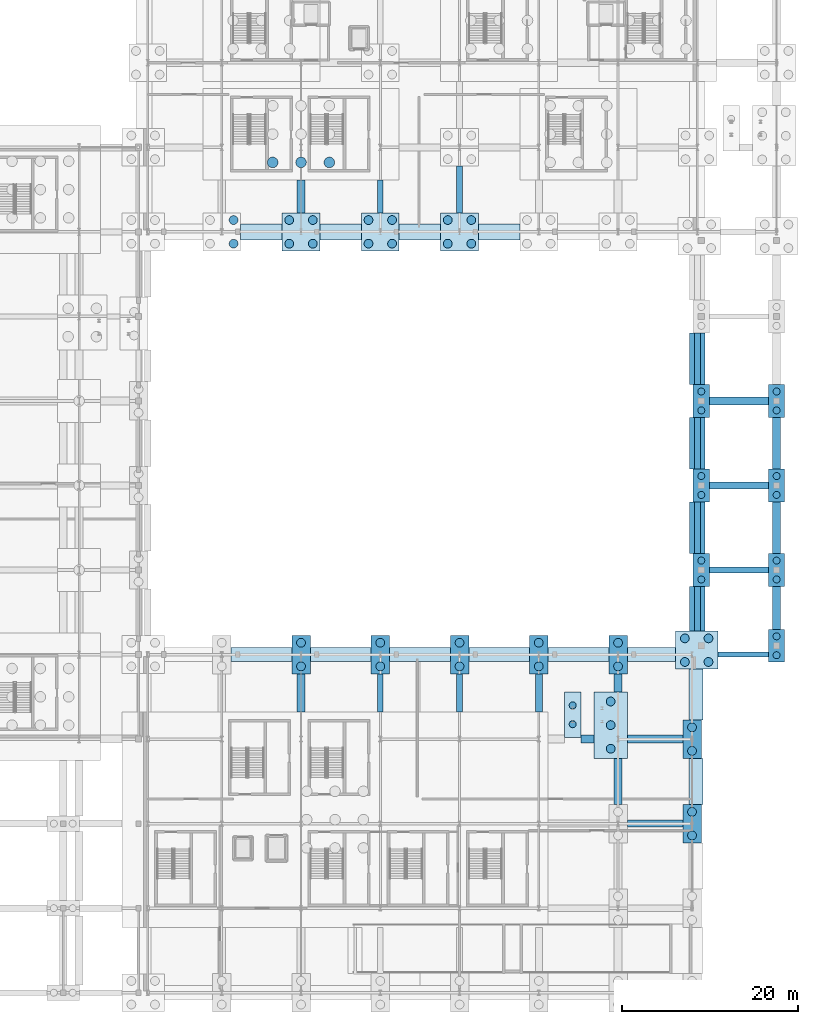
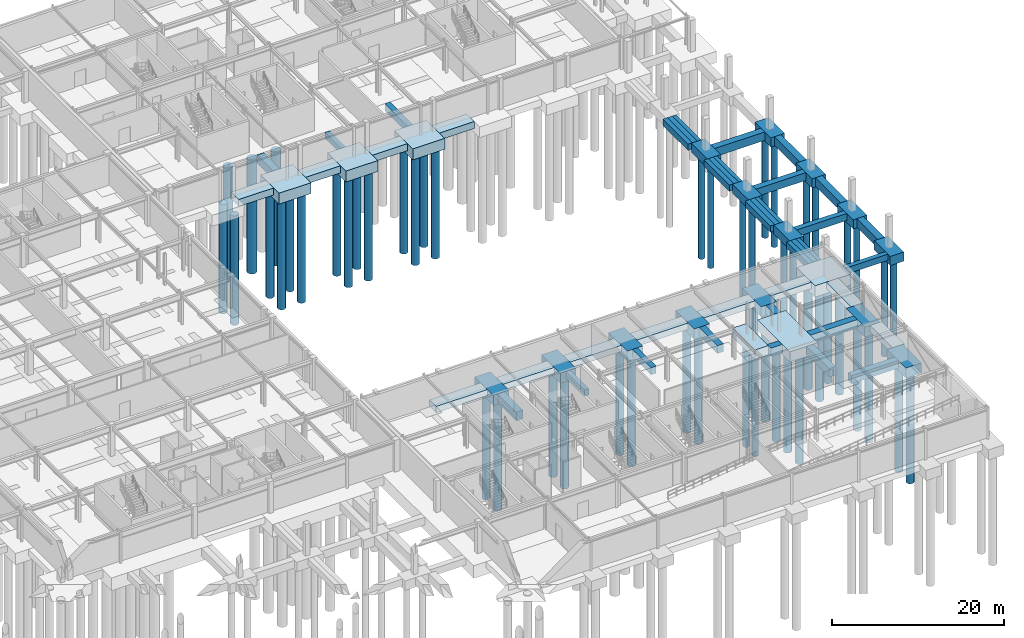
# One storey, part 8 of 59: 63 footings, 54 piles.
"""IFC4 building model written with IfcOpenShell, lengths in metres."""

from ifc_helpers import new_model, si_unit, direction, frame, origin, origin_2d, place, context, subcontext, project, spatial, rectangle, circle, extrude, material, material_profile, profile_set, type_object, element, save


model = new_model("IFC4")

# Units and contexts
model_context = context("Model", 3, precision=1e-05, world=origin(), true_north=direction((0.0, 1.0)))
body_context = subcontext(model_context, "Body", "Model", "MODEL_VIEW")
ifc_project = project(units=[si_unit("LENGTHUNIT", "METRE"), si_unit("AREAUNIT", "SQUARE_METRE"), si_unit("VOLUMEUNIT", "CUBIC_METRE"), si_unit("PLANEANGLEUNIT", "RADIAN"), si_unit("MASSUNIT", "GRAM", prefix="KILO")], contexts=[model_context])

# Site, building, storey
site_placement = place(None, origin())
site = spatial("IfcSite", under=ifc_project, at=site_placement, CompositionType="ELEMENT")
building_placement = place(site_placement, origin())
building = spatial("IfcBuilding", under=site, at=building_placement, Name="Myrtia Square Station", CompositionType="ELEMENT")
storey_placement = place(building_placement, frame((0.0, 0.0, -4.5)))
storey = spatial("IfcBuildingStorey", under=building, at=storey_placement, Name="B01", CompositionType="ELEMENT", Elevation=-4.5)

# Footings
ifc_material = material(Name="Concrete C35/45", Category="concrete")
ifc_material_profile_1 = material_profile(ifc_material, rectangle(XDim=0.60009765625, YDim=0.89990234375, at=origin_2d()), Name="FB 600x900")
ifc_profile_set_1 = profile_set([ifc_material_profile_1], Name="Concrete C35/45")
footing_type_1 = type_object("IfcFootingType", Name="FBM-600x900", PredefinedType="FOOTING_BEAM", material=ifc_profile_set_1)
footing_1_placement = place(storey_placement, frame((182.324951171875, 38.39990234375, -0.449951171875), z_axis=(1.0, 0.0, 0.0), x_axis=(0.0, 1.0, 0.0)))
element("IfcFooting", 1, at=footing_1_placement, inside=storey, type_object=footing_type_1, Name="Seismic foundation tie beam X-0051", PredefinedType="FOOTING_BEAM", context=body_context, shape_type="SweptSolid", body=[
    extrude(rectangle(XDim=0.60009765625, YDim=0.89990234375, at=origin_2d()), origin(), (0.0, 0.0, 1.0), 5.755126953125),
])
footing_2_placement = place(storey_placement, frame((144.0, 31.89990234375, -0.449951171875), z_axis=(0.0, 1.0, 0.0), x_axis=(-1.0, 0.0, 0.0)))
element("IfcFooting", 2, at=footing_2_placement, inside=storey, type_object=footing_type_1, Name="Seismic foundation tie beam Y-0316", PredefinedType="FOOTING_BEAM", context=body_context, shape_type="SweptSolid", body=[
    extrude(rectangle(XDim=0.60009765625, YDim=0.89990234375, at=origin_2d()), origin(), (0.0, 0.0, 1.0), 4.320068359375),
])
footing_3_placement = place(storey_placement, frame((144.0, 88.550048828125, -0.449951171875), z_axis=(0.0, 1.0, 0.0), x_axis=(-1.0, 0.0, 0.0)))
element("IfcFooting", 3, at=footing_3_placement, inside=storey, type_object=footing_type_1, Name="Seismic foundation tie beam Y-0317", PredefinedType="FOOTING_BEAM", context=body_context, shape_type="SweptSolid", body=[
    extrude(rectangle(XDim=0.60009765625, YDim=0.89990234375, at=origin_2d()), origin(), (0.0, 0.0, 1.0), 3.75),
])
footing_4_placement = place(storey_placement, frame((179.39990234375, 41.050048828125, -0.449951171875), z_axis=(0.0, 1.0, 0.0), x_axis=(-1.0, 0.0, 0.0)))
element("IfcFooting", 4, at=footing_4_placement, inside=storey, type_object=footing_type_1, Name="Seismic foundation tie beam Y-0335", PredefinedType="FOOTING_BEAM", context=body_context, shape_type="SweptSolid", body=[
    extrude(rectangle(XDim=0.60009765625, YDim=0.89990234375, at=origin_2d()), origin(), (0.0, 0.0, 1.0), 5.08984375),
])
footing_5_placement = place(storey_placement, frame((179.39990234375, 49.860107421875, -0.449951171875), z_axis=(0.0, 1.0, 0.0), x_axis=(-1.0, 0.0, 0.0)))
element("IfcFooting", 5, at=footing_5_placement, inside=storey, type_object=footing_type_1, Name="Seismic foundation tie beam Y-0336", PredefinedType="FOOTING_BEAM", context=body_context, shape_type="SweptSolid", body=[
    extrude(rectangle(XDim=0.60009765625, YDim=0.89990234375, at=origin_2d()), origin(), (0.0, 0.0, 1.0), 5.8798828125),
])
footing_6_placement = place(storey_placement, frame((179.39990234375, 59.4599609375, -0.449951171875), z_axis=(0.0, 1.0, 0.0), x_axis=(-1.0, 0.0, 0.0)))
element("IfcFooting", 6, at=footing_6_placement, inside=storey, type_object=footing_type_1, Name="Seismic foundation tie beam Y-0337", PredefinedType="FOOTING_BEAM", context=body_context, shape_type="SweptSolid", body=[
    extrude(rectangle(XDim=0.60009765625, YDim=0.89990234375, at=origin_2d()), origin(), (0.0, 0.0, 1.0), 5.880126953125),
])
footing_7_placement = place(storey_placement, frame((179.39990234375, 69.06005859375, -0.449951171875), z_axis=(0.0, 1.0, 0.0), x_axis=(-1.0, 0.0, 0.0)))
element("IfcFooting", 7, at=footing_7_placement, inside=storey, type_object=footing_type_1, Name="Seismic foundation tie beam Y-0338", PredefinedType="FOOTING_BEAM", context=body_context, shape_type="SweptSolid", body=[
    extrude(rectangle(XDim=0.60009765625, YDim=0.89990234375, at=origin_2d()), origin(), (0.0, 0.0, 1.0), 5.8798828125),
])
ifc_material_profile_2 = material_profile(ifc_material, rectangle(XDim=0.699951171875, YDim=1.0, at=origin_2d()), Name="FB 700x1000")
ifc_profile_set_2 = profile_set([ifc_material_profile_2], Name="Concrete C35/45")
footing_type_2 = type_object("IfcFootingType", Name="FBM-700x1000", PredefinedType="FOOTING_BEAM", material=ifc_profile_set_2)
footing_8_placement = place(storey_placement, frame((181.3701171875, 48.0, -0.5), z_axis=(1.0, 0.0, 0.0), x_axis=(0.0, 1.0, 0.0)))
element("IfcFooting", 8, at=footing_8_placement, inside=storey, type_object=footing_type_2, Name="Seismic foundation tie beam X-0062", PredefinedType="FOOTING_BEAM", context=body_context, shape_type="SweptSolid", body=[
    extrude(rectangle(XDim=0.699951171875, YDim=1.0, at=origin_2d()), origin(), (0.0, 0.0, 1.0), 6.7099609375),
])
footing_9_placement = place(storey_placement, frame((153.0, 31.89990234375, -0.5), z_axis=(0.0, 1.0, 0.0), x_axis=(-1.0, 0.0, 0.0)))
element("IfcFooting", 9, at=footing_9_placement, inside=storey, type_object=footing_type_2, Name="Seismic foundation tie beam Y-0321", PredefinedType="FOOTING_BEAM", context=body_context, shape_type="SweptSolid", body=[
    extrude(rectangle(XDim=0.699951171875, YDim=1.0, at=origin_2d()), origin(), (0.0, 0.0, 1.0), 4.320068359375),
])
footing_10_placement = place(storey_placement, frame((153.0, 88.550048828125, -0.5), z_axis=(0.0, 1.0, 0.0), x_axis=(-1.0, 0.0, 0.0)))
element("IfcFooting", 10, at=footing_10_placement, inside=storey, type_object=footing_type_2, Name="Seismic foundation tie beam Y-0322", PredefinedType="FOOTING_BEAM", context=body_context, shape_type="SweptSolid", body=[
    extrude(rectangle(XDim=0.699951171875, YDim=1.0, at=origin_2d()), origin(), (0.0, 0.0, 1.0), 5.300048828125),
])
footing_11_placement = place(storey_placement, frame((180.0, 41.050048828125, -0.5), z_axis=(0.0, 1.0, 0.0), x_axis=(-1.0, 0.0, 0.0)))
element("IfcFooting", 11, at=footing_11_placement, inside=storey, type_object=footing_type_2, Name="Seismic foundation tie beam Y-0340", PredefinedType="FOOTING_BEAM", context=body_context, shape_type="SweptSolid", body=[
    extrude(rectangle(XDim=0.699951171875, YDim=1.0, at=origin_2d()), origin(), (0.0, 0.0, 1.0), 5.08984375),
])
footing_12_placement = place(storey_placement, frame((180.0, 49.860107421875, -0.5), z_axis=(0.0, 1.0, 0.0), x_axis=(-1.0, 0.0, 0.0)))
element("IfcFooting", 12, at=footing_12_placement, inside=storey, type_object=footing_type_2, Name="Seismic foundation tie beam Y-0341", PredefinedType="FOOTING_BEAM", context=body_context, shape_type="SweptSolid", body=[
    extrude(rectangle(XDim=0.699951171875, YDim=1.0, at=origin_2d()), origin(), (0.0, 0.0, 1.0), 5.8798828125),
])
footing_13_placement = place(storey_placement, frame((180.0, 59.4599609375, -0.5), z_axis=(0.0, 1.0, 0.0), x_axis=(-1.0, 0.0, 0.0)))
element("IfcFooting", 13, at=footing_13_placement, inside=storey, type_object=footing_type_2, Name="Seismic foundation tie beam Y-0342", PredefinedType="FOOTING_BEAM", context=body_context, shape_type="SweptSolid", body=[
    extrude(rectangle(XDim=0.699951171875, YDim=1.0, at=origin_2d()), origin(), (0.0, 0.0, 1.0), 5.880126953125),
])
footing_14_placement = place(storey_placement, frame((180.0, 69.06005859375, -0.5), z_axis=(0.0, 1.0, 0.0), x_axis=(-1.0, 0.0, 0.0)))
element("IfcFooting", 14, at=footing_14_placement, inside=storey, type_object=footing_type_2, Name="Seismic foundation tie beam Y-0343", PredefinedType="FOOTING_BEAM", context=body_context, shape_type="SweptSolid", body=[
    extrude(rectangle(XDim=0.699951171875, YDim=1.0, at=origin_2d()), origin(), (0.0, 0.0, 1.0), 5.8798828125),
])
ifc_material_profile_3 = material_profile(ifc_material, rectangle(XDim=0.800048828125, YDim=1.10009765625, at=origin_2d()), Name="FB 800x1100")
ifc_profile_set_3 = profile_set([ifc_material_profile_3], Name="Concrete C35/45")
footing_type_3 = type_object("IfcFootingType", Name="FBM-800x1100", PredefinedType="FOOTING_BEAM", material=ifc_profile_set_3)
footing_15_placement = place(storey_placement, frame((172.050048828125, 19.199951171875, -0.550048828125), z_axis=(1.0, 0.0, 0.0), x_axis=(0.0, 1.0, 0.0)))
element("IfcFooting", 15, at=footing_15_placement, inside=storey, type_object=footing_type_3, Name="Seismic foundation tie beam X-0032", PredefinedType="FOOTING_BEAM", context=body_context, shape_type="SweptSolid", body=[
    extrude(rectangle(XDim=0.800048828125, YDim=1.10009765625, at=origin_2d()), origin(), (0.0, 0.0, 1.0), 6.300048828125),
])
footing_16_placement = place(storey_placement, frame((181.3701171875, 57.60009765625, -0.550048828125), z_axis=(1.0, 0.0, 0.0), x_axis=(0.0, 1.0, 0.0)))
element("IfcFooting", 16, at=footing_16_placement, inside=storey, type_object=footing_type_3, Name="Seismic foundation tie beam X-0073", PredefinedType="FOOTING_BEAM", context=body_context, shape_type="SweptSolid", body=[
    extrude(rectangle(XDim=0.800048828125, YDim=1.10009765625, at=origin_2d()), origin(), (0.0, 0.0, 1.0), 6.7099609375),
])
footing_17_placement = place(storey_placement, frame((162.0, 31.89990234375, -0.550048828125), z_axis=(0.0, 1.0, 0.0), x_axis=(-1.0, 0.0, 0.0)))
element("IfcFooting", 17, at=footing_17_placement, inside=storey, type_object=footing_type_3, Name="Seismic foundation tie beam Y-0326", PredefinedType="FOOTING_BEAM", context=body_context, shape_type="SweptSolid", body=[
    extrude(rectangle(XDim=0.800048828125, YDim=1.10009765625, at=origin_2d()), origin(), (0.0, 0.0, 1.0), 4.320068359375),
])
footing_18_placement = place(storey_placement, frame((180.449951171875, 41.050048828125, -0.550048828125), z_axis=(0.0, 1.0, 0.0), x_axis=(-1.0, 0.0, 0.0)))
element("IfcFooting", 18, at=footing_18_placement, inside=storey, type_object=footing_type_3, Name="Seismic foundation tie beam Y-0345", PredefinedType="FOOTING_BEAM", context=body_context, shape_type="SweptSolid", body=[
    extrude(rectangle(XDim=0.800048828125, YDim=1.10009765625, at=origin_2d()), origin(), (0.0, 0.0, 1.0), 5.08984375),
])
footing_19_placement = place(storey_placement, frame((180.449951171875, 49.860107421875, -0.550048828125), z_axis=(0.0, 1.0, 0.0), x_axis=(-1.0, 0.0, 0.0)))
element("IfcFooting", 19, at=footing_19_placement, inside=storey, type_object=footing_type_3, Name="Seismic foundation tie beam Y-0346", PredefinedType="FOOTING_BEAM", context=body_context, shape_type="SweptSolid", body=[
    extrude(rectangle(XDim=0.800048828125, YDim=1.10009765625, at=origin_2d()), origin(), (0.0, 0.0, 1.0), 5.8798828125),
])
footing_20_placement = place(storey_placement, frame((180.449951171875, 59.4599609375, -0.550048828125), z_axis=(0.0, 1.0, 0.0), x_axis=(-1.0, 0.0, 0.0)))
element("IfcFooting", 20, at=footing_20_placement, inside=storey, type_object=footing_type_3, Name="Seismic foundation tie beam Y-0347", PredefinedType="FOOTING_BEAM", context=body_context, shape_type="SweptSolid", body=[
    extrude(rectangle(XDim=0.800048828125, YDim=1.10009765625, at=origin_2d()), origin(), (0.0, 0.0, 1.0), 5.880126953125),
])
footing_21_placement = place(storey_placement, frame((180.449951171875, 69.06005859375, -0.550048828125), z_axis=(0.0, 1.0, 0.0), x_axis=(-1.0, 0.0, 0.0)))
element("IfcFooting", 21, at=footing_21_placement, inside=storey, type_object=footing_type_3, Name="Seismic foundation tie beam Y-0348", PredefinedType="FOOTING_BEAM", context=body_context, shape_type="SweptSolid", body=[
    extrude(rectangle(XDim=0.800048828125, YDim=1.10009765625, at=origin_2d()), origin(), (0.0, 0.0, 1.0), 5.8798828125),
])
ifc_material_profile_4 = material_profile(ifc_material, rectangle(XDim=0.89990234375, YDim=1.199951171875, at=origin_2d()), Name="FB 900x1200")
ifc_profile_set_4 = profile_set([ifc_material_profile_4], Name="Concrete C35/45")
footing_type_4 = type_object("IfcFootingType", Name="FBM-900x1200", PredefinedType="FOOTING_BEAM", material=ifc_profile_set_4)
footing_22_placement = place(storey_placement, frame((166.77001953125, 28.800048828125, -0.60009765625), z_axis=(1.0, 0.0, 0.0), x_axis=(0.0, 1.0, 0.0)))
element("IfcFooting", 22, at=footing_22_placement, inside=storey, type_object=footing_type_4, Name="Seismic foundation tie beam X-0041", PredefinedType="FOOTING_BEAM", context=body_context, shape_type="SweptSolid", body=[
    extrude(rectangle(XDim=0.89990234375, YDim=1.199951171875, at=origin_2d()), origin(), (0.0, 0.0, 1.0), 1.5),
])
footing_23_placement = place(storey_placement, frame((172.050048828125, 28.800048828125, -0.60009765625), z_axis=(1.0, 0.0, 0.0), x_axis=(0.0, 1.0, 0.0)))
element("IfcFooting", 23, at=footing_23_placement, inside=storey, type_object=footing_type_4, Name="Seismic foundation tie beam X-0042", PredefinedType="FOOTING_BEAM", context=body_context, shape_type="SweptSolid", body=[
    extrude(rectangle(XDim=0.89990234375, YDim=1.199951171875, at=origin_2d()), origin(), (0.0, 0.0, 1.0), 6.300048828125),
])
footing_24_placement = place(storey_placement, frame((181.3701171875, 67.199951171875, -0.60009765625), z_axis=(1.0, 0.0, 0.0), x_axis=(0.0, 1.0, 0.0)))
element("IfcFooting", 24, at=footing_24_placement, inside=storey, type_object=footing_type_4, Name="Seismic foundation tie beam X-0084", PredefinedType="FOOTING_BEAM", context=body_context, shape_type="SweptSolid", body=[
    extrude(rectangle(XDim=0.89990234375, YDim=1.199951171875, at=origin_2d()), origin(), (0.0, 0.0, 1.0), 6.7099609375),
])
footing_25_placement = place(storey_placement, frame((135.0, 31.89990234375, -0.60009765625), z_axis=(0.0, 1.0, 0.0), x_axis=(-1.0, 0.0, 0.0)))
element("IfcFooting", 25, at=footing_25_placement, inside=storey, type_object=footing_type_4, Name="Seismic foundation tie beam Y-0312", PredefinedType="FOOTING_BEAM", context=body_context, shape_type="SweptSolid", body=[
    extrude(rectangle(XDim=0.89990234375, YDim=1.199951171875, at=origin_2d()), origin(), (0.0, 0.0, 1.0), 4.320068359375),
])
footing_26_placement = place(storey_placement, frame((135.0, 88.550048828125, -0.60009765625), z_axis=(0.0, 1.0, 0.0), x_axis=(-1.0, 0.0, 0.0)))
element("IfcFooting", 26, at=footing_26_placement, inside=storey, type_object=footing_type_4, Name="Seismic foundation tie beam Y-0313", PredefinedType="FOOTING_BEAM", context=body_context, shape_type="SweptSolid", body=[
    extrude(rectangle(XDim=0.89990234375, YDim=1.199951171875, at=origin_2d()), origin(), (0.0, 0.0, 1.0), 3.75),
])
footing_27_placement = place(storey_placement, frame((171.0, 21.3798828125, -0.60009765625), z_axis=(0.0, 1.0, 0.0), x_axis=(-1.0, 0.0, 0.0)))
element("IfcFooting", 27, at=footing_27_placement, inside=storey, type_object=footing_type_4, Name="Seismic foundation tie beam Y-0331", PredefinedType="FOOTING_BEAM", context=body_context, shape_type="SweptSolid", body=[
    extrude(rectangle(XDim=0.89990234375, YDim=1.199951171875, at=origin_2d()), origin(), (0.0, 0.0, 1.0), 5.240234375),
])
footing_28_placement = place(storey_placement, frame((171.0, 34.159912109375, -0.60009765625), z_axis=(0.0, 1.0, 0.0), x_axis=(-1.0, 0.0, 0.0)))
element("IfcFooting", 28, at=footing_28_placement, inside=storey, type_object=footing_type_4, Name="Seismic foundation tie beam Y-0332", PredefinedType="FOOTING_BEAM", context=body_context, shape_type="SweptSolid", body=[
    extrude(rectangle(XDim=0.89990234375, YDim=1.199951171875, at=origin_2d()), origin(), (0.0, 0.0, 1.0), 2.06005859375),
])
footing_29_placement = place(storey_placement, frame((189.0, 41.260009765625, -0.60009765625), z_axis=(0.0, 1.0, 0.0), x_axis=(-1.0, 0.0, 0.0)))
element("IfcFooting", 29, at=footing_29_placement, inside=storey, type_object=footing_type_4, Name="Seismic foundation tie beam Y-0350", PredefinedType="FOOTING_BEAM", context=body_context, shape_type="SweptSolid", body=[
    extrude(rectangle(XDim=0.89990234375, YDim=1.199951171875, at=origin_2d()), origin(), (0.0, 0.0, 1.0), 4.8798828125),
])
footing_30_placement = place(storey_placement, frame((189.0, 49.860107421875, -0.60009765625), z_axis=(0.0, 1.0, 0.0), x_axis=(-1.0, 0.0, 0.0)))
element("IfcFooting", 30, at=footing_30_placement, inside=storey, type_object=footing_type_4, Name="Seismic foundation tie beam Y-0351", PredefinedType="FOOTING_BEAM", context=body_context, shape_type="SweptSolid", body=[
    extrude(rectangle(XDim=0.89990234375, YDim=1.199951171875, at=origin_2d()), origin(), (0.0, 0.0, 1.0), 5.8798828125),
])
footing_31_placement = place(storey_placement, frame((189.0, 59.4599609375, -0.60009765625), z_axis=(0.0, 1.0, 0.0), x_axis=(-1.0, 0.0, 0.0)))
element("IfcFooting", 31, at=footing_31_placement, inside=storey, type_object=footing_type_4, Name="Seismic foundation tie beam Y-0352", PredefinedType="FOOTING_BEAM", context=body_context, shape_type="SweptSolid", body=[
    extrude(rectangle(XDim=0.89990234375, YDim=1.199951171875, at=origin_2d()), origin(), (0.0, 0.0, 1.0), 5.880126953125),
])
footing_type_5 = type_object("IfcFootingType", Name="FCAP-184x372x130", PredefinedType="PILE_CAP", material=ifc_material)
for number, where, z_axis, x_axis, name in (
    (32, (180.449951171875, 48.0, -1.2998046875), (0.0, 0.0, 1.0), (1.0, 0.0, 0.0), "Reinforced concrete pile cap CAP-L2Y-129"),
    (33, (180.449951171875, 57.60009765625, -1.2998046875), (0.0, 0.0, 1.0), (1.0, 0.0, 0.0), "Reinforced concrete pile cap CAP-L2Y-130"),
    (34, (180.449951171875, 67.199951171875, -1.2998046875), (0.0, 0.0, 1.0), (1.0, 0.0, 0.0), "Reinforced concrete pile cap CAP-L2Y-131"),
    (35, (189.0, 39.39990234375, -1.2998046875), (0.0, 0.0, 1.0), (1.0, 0.0, 0.0), "Reinforced concrete pile cap CAP-L2Y-134"),
    (36, (189.0, 48.0, -1.2998046875), (0.0, 0.0, 1.0), (1.0, 0.0, 0.0), "Reinforced concrete pile cap CAP-L2Y-135"),
    (37, (189.0, 57.60009765625, -1.2998046875), (0.0, 0.0, 1.0), (1.0, 0.0, 0.0), "Reinforced concrete pile cap CAP-L2Y-136"),
    (38, (189.0, 67.199951171875, -1.2998046875), (0.0, 0.0, 1.0), (1.0, 0.0, 0.0), "Reinforced concrete pile cap CAP-L2Y-137"),
):
    element("IfcFooting", number, at=place(storey_placement, frame(where, z_axis=z_axis, x_axis=x_axis)), inside=storey, type_object=footing_type_5, Name=name, PredefinedType="PILE_CAP", context=body_context, shape_type="SweptSolid", body=[
        extrude(rectangle(XDim=1.840087890625, YDim=3.719970703125, at=origin_2d()), origin(), (0.0, 0.0, 1.0), 1.300048828125),
    ])
footing_type_6 = type_object("IfcFootingType", Name="FCAP-184x520x130", PredefinedType="PILE_CAP", material=ifc_material)
footing_32_placement = place(storey_placement, frame((165.85009765625, 31.56005859375, -1.2998046875), z_axis=(0.0, 0.0, 1.0), x_axis=(1.0, 0.0, 0.0)))
element("IfcFooting", 39, at=footing_32_placement, inside=storey, type_object=footing_type_6, Name="Reinforced concrete pile cap CAP-ISTR-25", PredefinedType="PILE_CAP", context=body_context, shape_type="SweptSolid", body=[
    extrude(rectangle(XDim=1.840087890625, YDim=5.199951171875, at=origin_2d()), origin(), (0.0, 0.0, 1.0), 1.300048828125),
])
footing_type_7 = type_object("IfcFootingType", Name="FCAP-210x436x145", PredefinedType="PILE_CAP", material=ifc_material)
for number, where, z_axis, x_axis, name in (
    (40, (135.0, 38.39990234375, -1.4501953125), (0.0, 0.0, 1.0), (1.0, 0.0, 0.0), "Reinforced concrete pile cap CAP-M2Y-172"),
    (41, (144.0, 38.39990234375, -1.4501953125), (0.0, 0.0, 1.0), (1.0, 0.0, 0.0), "Reinforced concrete pile cap CAP-M2Y-177"),
    (42, (153.0, 38.39990234375, -1.4501953125), (0.0, 0.0, 1.0), (1.0, 0.0, 0.0), "Reinforced concrete pile cap CAP-M2Y-182"),
    (43, (162.0, 38.39990234375, -1.4501953125), (0.0, 0.0, 1.0), (1.0, 0.0, 0.0), "Reinforced concrete pile cap CAP-M2Y-187"),
    (44, (171.0, 38.39990234375, -1.4501953125), (0.0, 0.0, 1.0), (1.0, 0.0, 0.0), "Reinforced concrete pile cap CAP-M2Y-192"),
    (45, (179.39990234375, 19.199951171875, -1.4501953125), (0.0, 0.0, 1.0), (1.0, 0.0, 0.0), "Reinforced concrete pile cap CAP-M2Y-195"),
    (46, (179.39990234375, 28.800048828125, -1.4501953125), (0.0, 0.0, 1.0), (1.0, 0.0, 0.0), "Reinforced concrete pile cap CAP-M2Y-196"),
):
    element("IfcFooting", number, at=place(storey_placement, frame(where, z_axis=z_axis, x_axis=x_axis)), inside=storey, type_object=footing_type_7, Name=name, PredefinedType="PILE_CAP", context=body_context, shape_type="SweptSolid", body=[
        extrude(rectangle(XDim=2.10009765625, YDim=4.360107421875, at=origin_2d()), origin(), (0.0, 0.0, 1.0), 1.449951171875),
    ])
footing_type_8 = type_object("IfcFootingType", Name="FCAP-378x754x145", PredefinedType="PILE_CAP", material=ifc_material)
footing_33_placement = place(storey_placement, frame((170.159912109375, 30.389892578125, -1.4501953125), z_axis=(0.0, 0.0, 1.0), x_axis=(1.0, 0.0, 0.0)))
element("IfcFooting", 47, at=footing_33_placement, inside=storey, type_object=footing_type_8, Name="Reinforced concrete pile cap CAP-M2Y-191", PredefinedType="PILE_CAP", context=body_context, shape_type="SweptSolid", body=[
    extrude(rectangle(XDim=3.780029296875, YDim=7.5400390625, at=origin_2d()), origin(), (0.0, 0.0, 1.0), 1.449951171875),
])
footing_type_9 = type_object("IfcFootingType", Name="FCAP-430x430x155", PredefinedType="PILE_CAP", material=ifc_material)
for number, where, z_axis, x_axis, name in (
    (48, (135.0, 86.39990234375, -1.5498046875), (0.0, 0.0, 1.0), (1.0, 0.0, 0.0), "Reinforced concrete pile cap CAP-M4-220"),
    (49, (144.0, 86.39990234375, -1.5498046875), (0.0, 0.0, 1.0), (1.0, 0.0, 0.0), "Reinforced concrete pile cap CAP-M4-225"),
    (50, (153.0, 86.39990234375, -1.5498046875), (0.0, 0.0, 1.0), (1.0, 0.0, 0.0), "Reinforced concrete pile cap CAP-M4-230"),
):
    element("IfcFooting", number, at=place(storey_placement, frame(where, z_axis=z_axis, x_axis=x_axis)), inside=storey, type_object=footing_type_9, Name=name, PredefinedType="PILE_CAP", context=body_context, shape_type="SweptSolid", body=[
        extrude(rectangle(XDim=4.300048828125, YDim=4.300048828125, at=origin_2d()), origin(), (0.0, 0.0, 1.0), 1.550048828125),
    ])
footing_type_10 = type_object("IfcFootingType", Name="FCAP-480x430x160", PredefinedType="PILE_CAP", material=ifc_material)
footing_34_placement = place(storey_placement, frame((179.925048828125, 38.89990234375, -1.60009765625), z_axis=(0.0, 0.0, 1.0), x_axis=(1.0, 0.0, 0.0)))
element("IfcFooting", 51, at=footing_34_placement, inside=storey, type_object=footing_type_10, Name="Reinforced concrete pile cap CAP-JT-128", PredefinedType="PILE_CAP", context=body_context, shape_type="SweptSolid", body=[
    extrude(rectangle(XDim=4.800048828125, YDim=4.300048828125, at=origin_2d()), origin(), (0.0, 0.0, 1.0), 1.60009765625),
])

# Piles
ifc_material_profile_5 = material_profile(ifc_material, circle(Radius=0.5, at=origin_2d()), Name="BP D1000")
ifc_profile_set_5 = profile_set([ifc_material_profile_5], Name="Concrete C35/45")
pile_type_1 = type_object("IfcPileType", Name="PIL-BP1000", PredefinedType="BORED", material=ifc_profile_set_5)
for number, where, z_axis, x_axis, name in (
    (52, (178.5849609375, 37.56005859375, -1.5), (0.0, 0.0, -1.0), (1.0, 0.0, 0.0), "Bored pile 0317"),
    (53, (178.5849609375, 40.239990234375, -1.5), (0.0, 0.0, -1.0), (1.0, 0.0, 0.0), "Bored pile 0318"),
    (54, (181.264892578125, 37.56005859375, -1.5), (0.0, 0.0, -1.0), (1.0, 0.0, 0.0), "Bored pile 0319"),
    (55, (181.264892578125, 40.239990234375, -1.5), (0.0, 0.0, -1.0), (1.0, 0.0, 0.0), "Bored pile 0320"),
):
    element("IfcPile", number, at=place(storey_placement, frame(where, z_axis=z_axis, x_axis=x_axis)), inside=storey, type_object=pile_type_1, Name=name, PredefinedType="BORED", context=body_context, shape_type="SweptSolid", body=[
        extrude(circle(Radius=0.5, at=origin_2d()), origin(), (0.0, 0.0, 1.0), 15.5),
    ])
for number, where, z_axis, x_axis, name in (
    (56, (135.0, 37.06005859375, -1.35009765625), (0.0, 0.0, -1.0), (1.0, 0.0, 0.0), "Bored pile 0381"),
    (57, (135.0, 39.739990234375, -1.35009765625), (0.0, 0.0, -1.0), (1.0, 0.0, 0.0), "Bored pile 0382"),
    (58, (144.0, 37.06005859375, -1.35009765625), (0.0, 0.0, -1.0), (1.0, 0.0, 0.0), "Bored pile 0385"),
    (59, (144.0, 39.739990234375, -1.35009765625), (0.0, 0.0, -1.0), (1.0, 0.0, 0.0), "Bored pile 0386"),
    (60, (153.0, 37.06005859375, -1.35009765625), (0.0, 0.0, -1.0), (1.0, 0.0, 0.0), "Bored pile 0389"),
    (61, (153.0, 39.739990234375, -1.35009765625), (0.0, 0.0, -1.0), (1.0, 0.0, 0.0), "Bored pile 0390"),
    (62, (162.0, 37.06005859375, -1.35009765625), (0.0, 0.0, -1.0), (1.0, 0.0, 0.0), "Bored pile 0393"),
    (63, (162.0, 39.739990234375, -1.35009765625), (0.0, 0.0, -1.0), (1.0, 0.0, 0.0), "Bored pile 0394"),
    (64, (170.159912109375, 27.7099609375, -1.35009765625), (0.0, 0.0, -1.0), (1.0, 0.0, 0.0), "Bored pile 0401"),
    (65, (170.159912109375, 30.389892578125, -1.35009765625), (0.0, 0.0, -1.0), (1.0, 0.0, 0.0), "Bored pile 0402"),
    (66, (170.159912109375, 33.070068359375, -1.35009765625), (0.0, 0.0, -1.0), (1.0, 0.0, 0.0), "Bored pile 0403"),
    (67, (171.0, 37.06005859375, -1.35009765625), (0.0, 0.0, -1.0), (1.0, 0.0, 0.0), "Bored pile 0404"),
    (68, (171.0, 39.739990234375, -1.35009765625), (0.0, 0.0, -1.0), (1.0, 0.0, 0.0), "Bored pile 0405"),
    (69, (179.39990234375, 17.860107421875, -1.35009765625), (0.0, 0.0, -1.0), (1.0, 0.0, 0.0), "Bored pile 0410"),
    (70, (179.39990234375, 20.5400390625, -1.35009765625), (0.0, 0.0, -1.0), (1.0, 0.0, 0.0), "Bored pile 0411"),
    (71, (179.39990234375, 27.4599609375, -1.35009765625), (0.0, 0.0, -1.0), (1.0, 0.0, 0.0), "Bored pile 0412"),
    (72, (179.39990234375, 30.139892578125, -1.35009765625), (0.0, 0.0, -1.0), (1.0, 0.0, 0.0), "Bored pile 0413"),
):
    element("IfcPile", number, at=place(storey_placement, frame(where, z_axis=z_axis, x_axis=x_axis)), inside=storey, type_object=pile_type_1, Name=name, PredefinedType="BORED", context=body_context, shape_type="SweptSolid", body=[
        extrude(circle(Radius=0.5, at=origin_2d()), origin(), (0.0, 0.0, 1.0), 15.64990234375),
    ])
for number, where, z_axis, x_axis, name in (
    (73, (127.340087890625, 85.06005859375, -1.449951171875), (0.0, 0.0, -1.0), (1.0, 0.0, 0.0), "Bored pile 0444"),
    (74, (127.340087890625, 87.739990234375, -1.449951171875), (0.0, 0.0, -1.0), (1.0, 0.0, 0.0), "Bored pile 0445"),
    (75, (133.659912109375, 85.06005859375, -1.449951171875), (0.0, 0.0, -1.0), (1.0, 0.0, 0.0), "Bored pile 0450"),
    (76, (133.659912109375, 87.739990234375, -1.449951171875), (0.0, 0.0, -1.0), (1.0, 0.0, 0.0), "Bored pile 0451"),
    (77, (136.340087890625, 85.06005859375, -1.449951171875), (0.0, 0.0, -1.0), (1.0, 0.0, 0.0), "Bored pile 0452"),
    (78, (136.340087890625, 87.739990234375, -1.449951171875), (0.0, 0.0, -1.0), (1.0, 0.0, 0.0), "Bored pile 0453"),
    (79, (142.659912109375, 85.06005859375, -1.449951171875), (0.0, 0.0, -1.0), (1.0, 0.0, 0.0), "Bored pile 0458"),
    (80, (142.659912109375, 87.739990234375, -1.449951171875), (0.0, 0.0, -1.0), (1.0, 0.0, 0.0), "Bored pile 0459"),
    (81, (145.340087890625, 85.06005859375, -1.449951171875), (0.0, 0.0, -1.0), (1.0, 0.0, 0.0), "Bored pile 0460"),
    (82, (145.340087890625, 87.739990234375, -1.449951171875), (0.0, 0.0, -1.0), (1.0, 0.0, 0.0), "Bored pile 0461"),
    (83, (151.659912109375, 85.06005859375, -1.449951171875), (0.0, 0.0, -1.0), (1.0, 0.0, 0.0), "Bored pile 0474"),
    (84, (151.659912109375, 87.739990234375, -1.449951171875), (0.0, 0.0, -1.0), (1.0, 0.0, 0.0), "Bored pile 0475"),
    (85, (154.340087890625, 85.06005859375, -1.449951171875), (0.0, 0.0, -1.0), (1.0, 0.0, 0.0), "Bored pile 0476"),
    (86, (154.340087890625, 87.739990234375, -1.449951171875), (0.0, 0.0, -1.0), (1.0, 0.0, 0.0), "Bored pile 0477"),
):
    element("IfcPile", number, at=place(storey_placement, frame(where, z_axis=z_axis, x_axis=x_axis)), inside=storey, type_object=pile_type_1, Name=name, PredefinedType="BORED", context=body_context, shape_type="SweptSolid", body=[
        extrude(circle(Radius=0.5, at=origin_2d()), origin(), (0.0, 0.0, 1.0), 15.550048828125),
    ])
ifc_material_profile_6 = material_profile(ifc_material, circle(Radius=0.60009765625, at=origin_2d()), Name="BP D1200")
ifc_profile_set_6 = profile_set([ifc_material_profile_6], Name="Concrete C35/45")
pile_type_2 = type_object("IfcPileType", Name="PIL-BP1200", PredefinedType="BORED", material=ifc_profile_set_6)
for number, where, z_axis, x_axis, name in (
    (87, (131.783935546875, 94.283935546875, -1.699951171875), (0.0, 0.0, -1.0), (1.0, 0.0, 0.0), "Bored pile 0064"),
    (88, (135.0, 94.283935546875, -1.699951171875), (0.0, 0.0, -1.0), (1.0, 0.0, 0.0), "Bored pile 0067"),
    (89, (138.216064453125, 94.283935546875, -1.699951171875), (0.0, 0.0, -1.0), (1.0, 0.0, 0.0), "Bored pile 0070"),
):
    element("IfcPile", number, at=place(storey_placement, frame(where, z_axis=z_axis, x_axis=x_axis)), inside=storey, type_object=pile_type_2, Name=name, PredefinedType="BORED", context=body_context, shape_type="SweptSolid", body=[
        extrude(circle(Radius=0.60009765625, at=origin_2d()), origin(), (0.0, 0.0, 1.0), 16.199951171875),
    ])
ifc_material_profile_7 = material_profile(ifc_material, circle(Radius=0.39990234375, at=origin_2d()), Name="BP D800")
ifc_profile_set_7 = profile_set([ifc_material_profile_7], Name="Concrete C35/45")
pile_type_3 = type_object("IfcPileType", Name="PIL-BP800", PredefinedType="BORED", material=ifc_profile_set_7)
for number, where, z_axis, x_axis, name in (
    (90, (180.449951171875, 46.927978515625, -1.199951171875), (0.0, 0.0, -1.0), (1.0, 0.0, 0.0), "Bored pile 0321"),
    (91, (180.449951171875, 49.072021484375, -1.199951171875), (0.0, 0.0, -1.0), (1.0, 0.0, 0.0), "Bored pile 0322"),
    (92, (180.449951171875, 56.528076171875, -1.199951171875), (0.0, 0.0, -1.0), (1.0, 0.0, 0.0), "Bored pile 0323"),
    (93, (180.449951171875, 58.672119140625, -1.199951171875), (0.0, 0.0, -1.0), (1.0, 0.0, 0.0), "Bored pile 0324"),
    (94, (180.449951171875, 66.1279296875, -1.199951171875), (0.0, 0.0, -1.0), (1.0, 0.0, 0.0), "Bored pile 0325"),
    (95, (180.449951171875, 68.27197265625, -1.199951171875), (0.0, 0.0, -1.0), (1.0, 0.0, 0.0), "Bored pile 0326"),
    (96, (189.0, 38.327880859375, -1.199951171875), (0.0, 0.0, -1.0), (1.0, 0.0, 0.0), "Bored pile 0333"),
    (97, (189.0, 40.471923828125, -1.199951171875), (0.0, 0.0, -1.0), (1.0, 0.0, 0.0), "Bored pile 0334"),
    (98, (189.0, 46.927978515625, -1.199951171875), (0.0, 0.0, -1.0), (1.0, 0.0, 0.0), "Bored pile 0335"),
    (99, (189.0, 49.072021484375, -1.199951171875), (0.0, 0.0, -1.0), (1.0, 0.0, 0.0), "Bored pile 0336"),
    (100, (189.0, 56.528076171875, -1.199951171875), (0.0, 0.0, -1.0), (1.0, 0.0, 0.0), "Bored pile 0337"),
    (101, (189.0, 58.672119140625, -1.199951171875), (0.0, 0.0, -1.0), (1.0, 0.0, 0.0), "Bored pile 0338"),
    (102, (189.0, 66.1279296875, -1.199951171875), (0.0, 0.0, -1.0), (1.0, 0.0, 0.0), "Bored pile 0339"),
    (103, (189.0, 68.27197265625, -1.199951171875), (0.0, 0.0, -1.0), (1.0, 0.0, 0.0), "Bored pile 0340"),
    (104, (165.85009765625, 30.488037109375, -1.199951171875), (0.0, 0.0, -1.0), (1.0, 0.0, 0.0), "Bored pile 0534"),
    (105, (165.85009765625, 32.632080078125, -1.199951171875), (0.0, 0.0, -1.0), (1.0, 0.0, 0.0), "Bored pile 0535"),
):
    element("IfcPile", number, at=place(storey_placement, frame(where, z_axis=z_axis, x_axis=x_axis)), inside=storey, type_object=pile_type_3, Name=name, PredefinedType="BORED", context=body_context, shape_type="SweptSolid", body=[
        extrude(circle(Radius=0.39990234375, at=origin_2d()), origin(), (0.0, 0.0, 1.0), 14.89990234375),
    ])

# Footings
footing_type_11 = type_object("IfcFootingType", Name="SF-1600x900", PredefinedType="STRIP_FOOTING", material=ifc_material)
for number, where, z_axis, x_axis, name in (
    (106, (130.5, 38.39990234375, -0.89990234375), (0.0, 0.0, 1.0), (1.0, 0.0, 0.0), "Retaining wall strip footing 018"),
    (107, (139.5, 38.39990234375, -0.89990234375), (0.0, 0.0, 1.0), (1.0, 0.0, 0.0), "Retaining wall strip footing 019"),
    (108, (148.5, 38.39990234375, -0.89990234375), (0.0, 0.0, 1.0), (1.0, 0.0, 0.0), "Retaining wall strip footing 020"),
    (109, (157.5, 38.39990234375, -0.89990234375), (0.0, 0.0, 1.0), (1.0, 0.0, 0.0), "Retaining wall strip footing 021"),
    (110, (166.5, 38.39990234375, -0.89990234375), (0.0, 0.0, 1.0), (1.0, 0.0, 0.0), "Retaining wall strip footing 022"),
):
    element("IfcFooting", number, at=place(storey_placement, frame(where, z_axis=z_axis, x_axis=x_axis)), inside=storey, type_object=footing_type_11, Name=name, PredefinedType="STRIP_FOOTING", context=body_context, shape_type="SweptSolid", body=[
        extrude(rectangle(XDim=6.89990234375, YDim=1.60009765625, at=origin_2d()), origin(), (0.0, 0.0, 1.0), 0.89990234375),
    ])
footing_35_placement = place(storey_placement, frame((174.78759765625, 38.39990234375, -0.89990234375), z_axis=(0.0, 0.0, 1.0), x_axis=(1.0, 0.0, 0.0)))
element("IfcFooting", 111, at=footing_35_placement, inside=storey, type_object=footing_type_11, Name="Retaining wall strip footing 023", PredefinedType="STRIP_FOOTING", context=body_context, shape_type="SweptSolid", body=[
    extrude(rectangle(XDim=5.47509765625, YDim=1.60009765625, at=origin_2d()), origin(), (0.0, 0.0, 1.0), 0.89990234375),
])
footing_36_placement = place(storey_placement, frame((179.85009765625, 24.0, -0.89990234375), z_axis=(0.0, 0.0, 1.0), x_axis=(1.0, 0.0, 0.0)))
element("IfcFooting", 112, at=footing_36_placement, inside=storey, type_object=footing_type_11, Name="Retaining wall strip footing 028", PredefinedType="STRIP_FOOTING", context=body_context, shape_type="SweptSolid", body=[
    extrude(rectangle(XDim=1.60009765625, YDim=5.239990234375, at=origin_2d()), origin(), (0.0, 0.0, 1.0), 0.89990234375),
])
footing_37_placement = place(storey_placement, frame((179.85009765625, 33.864990234375, -0.89990234375), z_axis=(0.0, 0.0, 1.0), x_axis=(1.0, 0.0, 0.0)))
element("IfcFooting", 113, at=footing_37_placement, inside=storey, type_object=footing_type_11, Name="Retaining wall strip footing 029", PredefinedType="STRIP_FOOTING", context=body_context, shape_type="SweptSolid", body=[
    extrude(rectangle(XDim=1.60009765625, YDim=5.77001953125, at=origin_2d()), origin(), (0.0, 0.0, 1.0), 0.89990234375),
])
footing_type_12 = type_object("IfcFootingType", Name="SF-1800x1000", PredefinedType="STRIP_FOOTING", material=ifc_material)
for number, where, z_axis, x_axis, name in (
    (114, (130.5, 86.39990234375, -1.0), (0.0, 0.0, 1.0), (1.0, 0.0, 0.0), "Retaining wall strip footing 031"),
    (115, (139.5, 86.39990234375, -1.0), (0.0, 0.0, 1.0), (1.0, 0.0, 0.0), "Retaining wall strip footing 032"),
    (116, (148.5, 86.39990234375, -1.0), (0.0, 0.0, 1.0), (1.0, 0.0, 0.0), "Retaining wall strip footing 033"),
    (117, (157.5, 86.39990234375, -1.0), (0.0, 0.0, 1.0), (1.0, 0.0, 0.0), "Retaining wall strip footing 034"),
):
    element("IfcFooting", number, at=place(storey_placement, frame(where, z_axis=z_axis, x_axis=x_axis)), inside=storey, type_object=footing_type_12, Name=name, PredefinedType="STRIP_FOOTING", context=body_context, shape_type="SweptSolid", body=[
        extrude(rectangle(XDim=4.699951171875, YDim=1.800048828125, at=origin_2d()), origin(), (0.0, 0.0, 1.0), 1.0),
    ])

save(model, "model.ifc")
